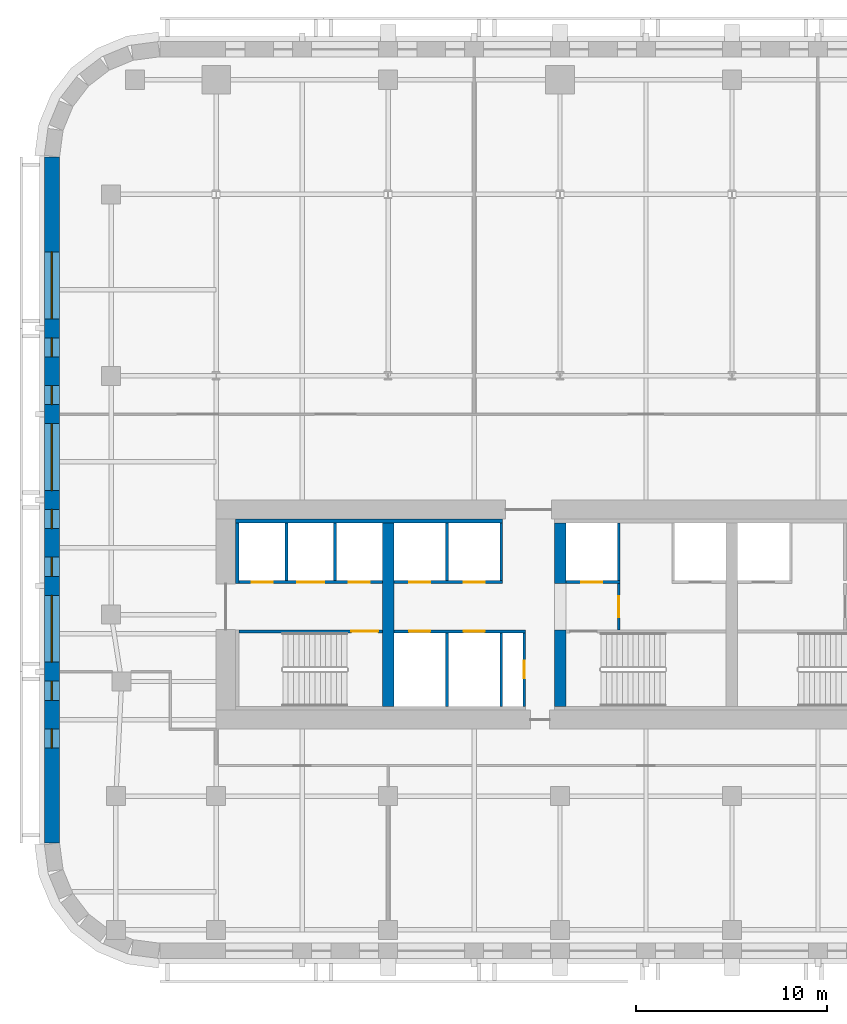
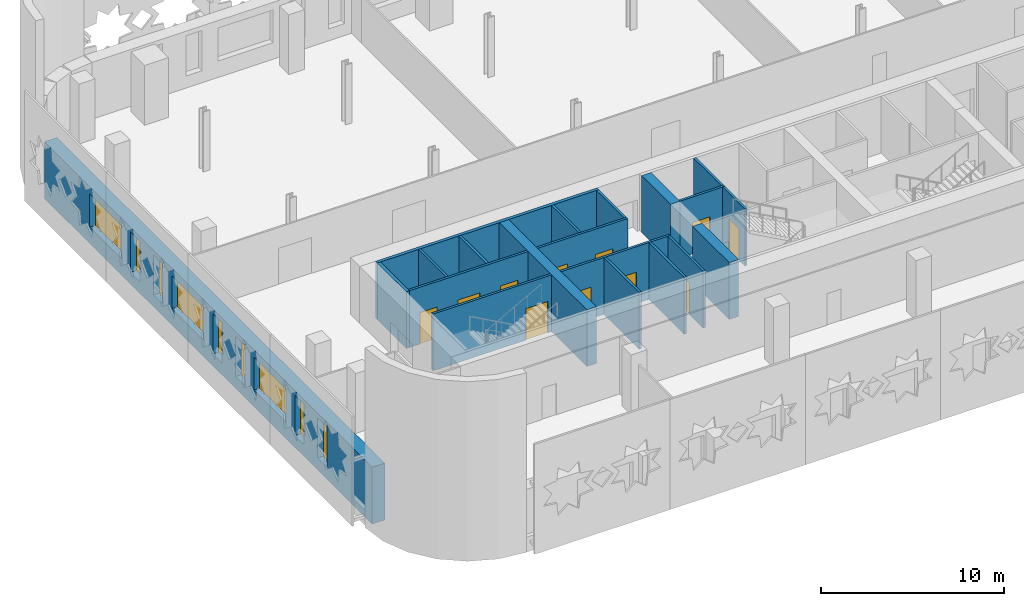
# One storey, part 3 of 11: 20 walls, 11 doors, 9 windows, 20 openings.
"""IFC4 building model written with IfcOpenShell, lengths in metres."""

import ifcopenshell
import ifcopenshell.guid

model = None  # the IFC model being written
_history = None  # IfcOwnerHistory: only IFC2X3 demands one
_inside = {}  # id of a spatial element -> (the spatial element, [elements in it])
_under = {}  # id of a project, library or spatial element -> (it, [spatial elements below it])
_declared = {}  # id of a project -> (the project, [libraries it declares])
_typed = {}  # id of a type object -> (the type object, [elements of that type])
_made_of = {}  # id of a material, layer set ... -> (it, [elements and type objects made of it])


def new_model(schema):
    """Start an empty IFC model of exactly this schema.

    Asked for "IFC4X3", IfcOpenShell would pick the latest addendum, in which some entities
    have other attributes; the version numbers below select the first issue.
    IFC2X3 requires an IfcOwnerHistory on every rooted entity: one is made here for all.
    """
    global model, _history
    if schema == "IFC4X3":
        model = ifcopenshell.file(schema_version=(4, 3, 0, 0))
    else:
        model = ifcopenshell.file(schema=schema)
    _inside.clear()
    _under.clear()
    _declared.clear()
    _typed.clear()
    _made_of.clear()
    _history = None
    if model.schema == "IFC2X3":
        org = make("IfcOrganization", Name="unknown")
        user = make(
            "IfcPersonAndOrganization",
            ThePerson=make("IfcPerson", FamilyName="unknown"),
            TheOrganization=org,
        )
        app = make(
            "IfcApplication",
            ApplicationDeveloper=org,
            Version="unknown",
            ApplicationFullName="unknown",
            ApplicationIdentifier="unknown",
        )
        _history = make(
            "IfcOwnerHistory",
            OwningUser=user,
            OwningApplication=app,
            ChangeAction="ADDED",
            CreationDate=0,
        )
    return model


def make(cls, **values):
    """One entity of the class cls with the attributes given. An attribute that is None is left unset."""
    return model.create_entity(
        cls, **{name: value for name, value in values.items() if value is not None}
    )


def rooted(cls, **values):
    """An entity with a GlobalId (a new one), such as an element, a storey or a relation."""
    return make(cls, GlobalId=ifcopenshell.guid.new(), OwnerHistory=_history, **values)


def si_unit(unit_type, name, prefix=None):
    """IfcSIUnit, for example si_unit("LENGTHUNIT", "METRE", prefix="MILLI")."""
    return make("IfcSIUnit", UnitType=unit_type, Prefix=prefix, Name=name)


def assignment(units):
    """IfcUnitAssignment: the units of a project."""
    return None if units is None else make("IfcUnitAssignment", Units=units)


def point(xyz):
    """IfcCartesianPoint."""
    return None if xyz is None else make("IfcCartesianPoint", Coordinates=xyz)


def direction(xyz):
    """IfcDirection."""
    return None if xyz is None else make("IfcDirection", DirectionRatios=xyz)


def frame(location, z_axis=None, x_axis=None):
    """IfcAxis2Placement3D, a coordinate frame: its origin and axes. An axis left out is left unset."""
    return make(
        "IfcAxis2Placement3D",
        Location=point(location),
        Axis=direction(z_axis),
        RefDirection=direction(x_axis),
    )


def frame_2d(location, x_axis=None):
    """IfcAxis2Placement2D, a coordinate frame in the plane: its origin and x axis."""
    return make(
        "IfcAxis2Placement2D", Location=point(location), RefDirection=direction(x_axis)
    )


def origin():
    """The frame at (0, 0, 0) with its axes left unset."""
    return frame((0.0, 0.0, 0.0))


def place(relative_to, where):
    """IfcLocalPlacement: puts the frame where relative to a parent placement (None: the world)."""
    return make(
        "IfcLocalPlacement", PlacementRelTo=relative_to, RelativePlacement=where
    )


def context(
    kind, dimensions, precision=None, world=None, true_north=None, identifier=None
):
    """IfcGeometricRepresentationContext, for example the 3D "Model" context."""
    return make(
        "IfcGeometricRepresentationContext",
        ContextIdentifier=identifier,
        ContextType=kind,
        CoordinateSpaceDimension=dimensions,
        Precision=precision,
        WorldCoordinateSystem=world,
        TrueNorth=true_north,
    )


def subcontext(parent, identifier, kind, view, scale=None):
    """IfcGeometricRepresentationSubContext, for example "Body" below "Model"."""
    return make(
        "IfcGeometricRepresentationSubContext",
        ContextIdentifier=identifier,
        ContextType=kind,
        ParentContext=parent,
        TargetScale=scale,
        TargetView=view,
    )


def project(units=None, contexts=None):
    """IfcProject with its units and contexts."""
    return rooted(
        "IfcProject",
        Name="project",
        RepresentationContexts=contexts,
        UnitsInContext=assignment(units),
    )


def spatial(cls, under=None, at=None, **own):
    """A site, building, storey or space (cls), placed at a placement, below another one or the project."""
    s = rooted(cls, ObjectPlacement=at, **own)
    if under is not None:
        _under.setdefault(under.id(), (under, []))[1].append(s)
    return s


def profile(cls, at=None, kind="AREA", **sizes):
    """A parametric profile (cls). Its sizes go by their IFC names, for example OverallWidth=200.0."""
    return make(cls, ProfileType=kind, Position=at, **sizes)


def rectangle(**sizes):
    """IfcRectangleProfileDef."""
    return profile("IfcRectangleProfileDef", **sizes)


def extrude(swept, where, along, depth):
    """IfcExtrudedAreaSolid: the profile swept, set in the frame where, extruded along a direction by depth."""
    return make(
        "IfcExtrudedAreaSolid",
        SweptArea=swept,
        Position=where,
        ExtrudedDirection=direction(along),
        Depth=depth,
    )


def shape(context_of_items, identifier, shape_type, items):
    """IfcShapeRepresentation: the items that make up one representation, for example the "Body"."""
    return make(
        "IfcShapeRepresentation",
        ContextOfItems=context_of_items,
        RepresentationIdentifier=identifier,
        RepresentationType=shape_type,
        Items=items,
    )


def material(Name=None, Category=None):
    """IfcMaterial."""
    return make("IfcMaterial", Name=Name, Category=Category)


def layer(
    of_material, thickness, ventilated=None, Name=None, Category=None, Priority=None
):
    """IfcMaterialLayer: one layer of a wall or slab, of a material (None: an air gap)."""
    return make(
        "IfcMaterialLayer",
        Material=of_material,
        LayerThickness=thickness,
        IsVentilated=ventilated,
        Name=Name,
        Category=Category,
        Priority=Priority,
    )


def layer_set(layers, Name=None):
    """IfcMaterialLayerSet."""
    return make("IfcMaterialLayerSet", MaterialLayers=layers, LayerSetName=Name)


def made_of(thing, what):
    """Note that an element or type object is made of a material, layer set ...; save() writes the relation."""
    if what is not None:
        _made_of.setdefault(what.id(), (what, []))[1].append(thing)
    return thing


def type_object(cls, material=None, **own):
    """A type object (cls), such as IfcWallType, which elements share."""
    return made_of(rooted(cls, **own), material)


def element(
    cls,
    number,
    at=None,
    inside=None,
    cuts=None,
    type_object=None,
    material=None,
    context=None,
    identifier="Body",
    shape_type=None,
    held_by="IfcProductDefinitionShape",
    body=None,
    shapes=None,
    **own,
):
    """One element of the class cls, such as IfcWall. Its Tag is "e" and its number.

    at: its placement. inside: the storey or other place that contains it. cuts: it is an
    opening in that element (IfcRelVoidsElement). A single representation is given by context,
    identifier, shape_type and body (its items); several are given by shapes. held_by: the class
    of the entity that holds the representations. save() writes the other relations.
    """
    e = rooted(cls, Tag="e%d" % number, ObjectPlacement=at, **own)
    if body is not None:
        shapes = [shape(context, identifier, shape_type, body)]
    if shapes is not None:
        e.Representation = make(held_by, Representations=shapes)
    if inside is not None:
        _inside.setdefault(inside.id(), (inside, []))[1].append(e)
    if cuts is not None:
        rooted(
            "IfcRelVoidsElement", RelatingBuildingElement=cuts, RelatedOpeningElement=e
        )
    if type_object is not None:
        _typed.setdefault(type_object.id(), (type_object, []))[1].append(e)
    return made_of(e, material)


def fill(opening, filler):
    """IfcRelFillsElement: the door or window that sits in an opening."""
    return rooted(
        "IfcRelFillsElement",
        RelatingOpeningElement=opening,
        RelatedBuildingElement=filler,
    )


def aggregate(whole, parts):
    """IfcRelAggregates: a whole, such as a stair, and the parts it consists of."""
    return rooted("IfcRelAggregates", RelatingObject=whole, RelatedObjects=parts)


def save(model, path):
    """Write the relations noted so far, then the file.

    IfcRelAggregates (storeys below a building ...), IfcRelContainedInSpatialStructure (elements
    in a storey), IfcRelDefinesByType, IfcRelAssociatesMaterial and IfcRelDeclares: one each for
    every whole, place, type object, material and project.
    """
    for whole, parts in _under.values():
        aggregate(whole, parts)
    for where, things in _inside.values():
        rooted(
            "IfcRelContainedInSpatialStructure",
            RelatedElements=things,
            RelatingStructure=where,
        )
    for kind, things in _typed.values():
        rooted("IfcRelDefinesByType", RelatedObjects=things, RelatingType=kind)
    for what, things in _made_of.values():
        rooted("IfcRelAssociatesMaterial", RelatedObjects=things, RelatingMaterial=what)
    for by, libraries in _declared.values():
        rooted("IfcRelDeclares", RelatingContext=by, RelatedDefinitions=libraries)
    model.write(path)


model = new_model("IFC4")

# Units and contexts
model_context = context("Model", 3, precision=1e-05, world=origin(), true_north=direction((0.0, 1.0)))
body_context = subcontext(model_context, "Body", "Model", "MODEL_VIEW")
ifc_project = project(units=[si_unit("LENGTHUNIT", "METRE"), si_unit("AREAUNIT", "SQUARE_METRE"), si_unit("VOLUMEUNIT", "CUBIC_METRE"), si_unit("PLANEANGLEUNIT", "RADIAN"), si_unit("MASSUNIT", "GRAM", prefix="KILO")], contexts=[model_context])

# Site, building, storey
site_placement = place(None, origin())
site = spatial("IfcSite", under=ifc_project, at=site_placement, CompositionType="ELEMENT")
building_placement = place(site_placement, origin())
building = spatial("IfcBuilding", under=site, at=building_placement, Name="Zellij Exchange Tower", CompositionType="ELEMENT")
storey_placement = place(building_placement, frame((0.0, 0.0, 144.5)))
storey = spatial("IfcBuildingStorey", under=building, at=storey_placement, Name="L32", CompositionType="ELEMENT", Elevation=144.5)

# Walls
ifc_material_1 = material(Name="Concrete C70/85", Category="concrete")
ifc_layer_1 = layer(ifc_material_1, 0.60009765625)
ifc_layer_set_1 = layer_set([ifc_layer_1], Name="Concrete C70/85")
wall_type_1 = type_object("IfcWallType", Name="CORE-CW 600 C70/85", PredefinedType="SHEAR", material=ifc_layer_set_1)
wall_1_placement = place(storey_placement, frame((-18.0, -12.800048828125, 0.0), z_axis=(0.0, 0.0, 1.0), x_axis=(0.0, 1.0, 0.0)))
element("IfcWall", 1, at=wall_1_placement, inside=storey, type_object=wall_type_1, Name="Core cross wall x -18 L32", PredefinedType="SHEAR", context=body_context, shape_type="SweptSolid", body=[
    extrude(rectangle(XDim=9.60009765625, YDim=0.60009765625, at=frame_2d((4.800048828125, 0.0))), origin(), (0.0, 0.0, 1.0), 3.800048828125),
])
wall_2_placement = place(storey_placement, frame((-9.0, -12.800048828125, 0.0), z_axis=(0.0, 0.0, 1.0), x_axis=(0.0, 1.0, 0.0)))
element("IfcWall", 2, at=wall_2_placement, inside=storey, type_object=wall_type_1, Name="Core cross wall pier x -9 a L32", PredefinedType="SHEAR", context=body_context, shape_type="SweptSolid", body=[
    extrude(rectangle(XDim=4.0, YDim=0.60009765625, at=frame_2d((2.0, 0.0))), origin(), (0.0, 0.0, 1.0), 3.800048828125),
])
wall_3_placement = place(storey_placement, frame((-9.0, -6.375, 0.0), z_axis=(0.0, 0.0, 1.0), x_axis=(0.0, 1.0, 0.0)))
element("IfcWall", 3, at=wall_3_placement, inside=storey, type_object=wall_type_1, Name="Core cross wall pier x -9 b L32", PredefinedType="SHEAR", context=body_context, shape_type="SweptSolid", body=[
    extrude(rectangle(XDim=3.175048828125, YDim=0.60009765625, at=frame_2d((1.58740234375, 0.0))), origin(), (0.0, 0.0, 1.0), 3.800048828125),
])
ifc_material_2 = material(Name="Concrete C30/37", Category="concrete")
ifc_layer_2 = layer(ifc_material_2, 0.199951171875)
ifc_layer_set_2 = layer_set([ifc_layer_2], Name="Concrete C30/37")
wall_type_2 = type_object("IfcWallType", Name="CORE-LW 200 C30/37", PredefinedType="SHEAR", material=ifc_layer_set_2)
wall_4_placement = place(storey_placement, frame((-26.0, -3.10009765625, 0.0), z_axis=(0.0, 0.0, 1.0), x_axis=(1.0, 0.0, 0.0)))
element("IfcWall", 4, at=wall_4_placement, inside=storey, type_object=wall_type_2, Name="Core wall lining front.0 L32", PredefinedType="SHEAR", context=body_context, shape_type="SweptSolid", body=[
    extrude(rectangle(XDim=14.0, YDim=0.199951171875, at=frame_2d((7.0, 0.0))), origin(), (0.0, 0.0, 1.0), 3.800048828125),
])
wall_5_placement = place(storey_placement, frame((-25.89990234375, -6.375, 0.0), z_axis=(0.0, 0.0, 1.0), x_axis=(0.0, 1.0, 0.0)))
element("IfcWall", 5, at=wall_5_placement, inside=storey, type_object=wall_type_2, Name="Core wall lining end w.1 L32", PredefinedType="SHEAR", context=body_context, shape_type="SweptSolid", body=[
    extrude(rectangle(XDim=3.175048828125, YDim=0.199951171875, at=frame_2d((1.58740234375, 0.0))), origin(), (0.0, 0.0, 1.0), 3.800048828125),
])

# Wall, opening, door
ifc_material_3 = material(Name="Gypsum shaft wall system")
ifc_layer_3 = layer(ifc_material_3, 0.14990234375)
ifc_layer_set_3 = layer_set([ifc_layer_3], Name="Gypsum shaft wall system")
wall_type_3 = type_object("IfcWallType", Name="CORE-PW 150 Firefighting lobby wall", PredefinedType="PARTITIONING", material=ifc_layer_set_3)
wall_6_placement = place(storey_placement, frame((-5.925048828125, -8.800048828125, 0.0), z_axis=(0.0, 0.0, 1.0), x_axis=(0.0, 1.0, 0.0)))
wall_6 = element("IfcWall", 6, at=wall_6_placement, inside=storey, type_object=wall_type_3, Name="Firefighting lobby wall L32", PredefinedType="PARTITIONING", context=body_context, shape_type="SweptSolid", body=[
    extrude(rectangle(XDim=2.425048828125, YDim=0.14990234375, at=frame_2d((1.21240234375, 0.0))), origin(), (0.0, 0.0, 1.0), 3.800048828125),
])
opening_1_placement = place(wall_6_placement, frame((0.662109375, 0.0, 0.0)))
opening_1 = element("IfcOpeningElement", 7, at=opening_1_placement, cuts=wall_6, Name="Opening CA-16.15", PredefinedType="OPENING", context=body_context, shape_type="SweptSolid", body=[
    extrude(rectangle(XDim=1.10009765625, YDim=2.10009765625, at=frame_2d((0.550048828125, 1.050048828125))), frame((0.0, 0.0869140625, 0.0), z_axis=(0.0, -1.0, 0.0), x_axis=(1.0, 0.0, 0.0)), (0.0, 0.0, 1.0), 0.173828125),
])
ifc_material_4 = material(Name="Hollow metal fire door")
door_type_1 = type_object("IfcDoorType", Name="CORE-D F Firefighting lobby door 1100x2100 1 HR", OperationType="NOTDEFINED", PredefinedType="DOOR", material=ifc_material_4)
door_1_placement = place(opening_1_placement, origin())
door_1 = element("IfcDoor", 8, at=door_1_placement, inside=storey, type_object=door_type_1, Name="Firefighting lobby door CA-16.15", OperationType="SINGLE_SWING_LEFT", OverallHeight=2.10009765625, OverallWidth=1.10009765625, PredefinedType="DOOR", context=body_context, shape_type="SweptSolid", body=[
    extrude(rectangle(XDim=1.10009765625, YDim=2.10009765625, at=frame_2d((0.550048828125, 1.050048828125))), frame((0.0, 0.02490234375, 0.0), z_axis=(0.0, -1.0, 0.0), x_axis=(1.0, 0.0, 0.0)), (0.0, 0.0, 1.0), 0.050048828125),
])
fill(opening_1, door_1)

ifc_material_5 = material(Name="Gypsum board partition")
ifc_layer_4 = layer(ifc_material_5, 0.14990234375)
ifc_layer_set_4 = layer_set([ifc_layer_4], Name="Gypsum board partition")
wall_type_4 = type_object("IfcWallType", Name="CORE-PW 150 Lift lobby wall", PredefinedType="PARTITIONING", material=ifc_layer_set_4)
wall_7_placement = place(storey_placement, frame((-10.875, -12.800048828125, 0.0), z_axis=(0.0, 0.0, 1.0), x_axis=(0.0, 1.0, 0.0)))
wall_7 = element("IfcWall", 9, at=wall_7_placement, inside=storey, type_object=wall_type_4, Name="Lift lobby wall L32", PredefinedType="PARTITIONING", context=body_context, shape_type="SweptSolid", body=[
    extrude(rectangle(XDim=3.85009765625, YDim=0.14990234375, at=frame_2d((1.925048828125, 0.0))), origin(), (0.0, 0.0, 1.0), 3.800048828125),
])
opening_2_placement = place(wall_7_placement, frame((1.47509765625, 0.0, 0.0)))
opening_2 = element("IfcOpeningElement", 10, at=opening_2_placement, cuts=wall_7, Name="Opening CA-16.10", PredefinedType="OPENING", context=body_context, shape_type="SweptSolid", body=[
    extrude(rectangle(XDim=0.89990234375, YDim=2.10009765625, at=frame_2d((0.449951171875, 1.050048828125))), frame((0.0, 0.0869140625, 0.0), z_axis=(0.0, -1.0, 0.0), x_axis=(1.0, 0.0, 0.0)), (0.0, 0.0, 1.0), 0.173828125),
])
door_type_2 = type_object("IfcDoorType", Name="CORE-D RD Riser door 900x2100 1.5 HR", OperationType="NOTDEFINED", PredefinedType="DOOR", material=ifc_material_4)
door_2_placement = place(opening_2_placement, origin())
door_2 = element("IfcDoor", 11, at=door_2_placement, inside=storey, type_object=door_type_2, Name="Riser door CA-16.10", OperationType="SINGLE_SWING_RIGHT", OverallHeight=2.10009765625, OverallWidth=0.89990234375, PredefinedType="DOOR", context=body_context, shape_type="SweptSolid", body=[
    extrude(rectangle(XDim=0.89990234375, YDim=2.10009765625, at=frame_2d((0.449951171875, 1.050048828125))), frame((0.0, 0.02490234375, 0.0), z_axis=(0.0, -1.0, 0.0), x_axis=(1.0, 0.0, 0.0)), (0.0, 0.0, 1.0), 0.050048828125),
])
fill(opening_2, door_2)

# Walls
ifc_layer_5 = layer(ifc_material_3, 0.14990234375)
ifc_layer_set_5 = layer_set([ifc_layer_5], Name="Gypsum shaft wall system")
wall_type_5 = type_object("IfcWallType", Name="CORE-PW 150 Lift shaft wall", PredefinedType="PARTITIONING", material=ifc_layer_set_5)
for number, where, z_axis, x_axis, name in (
    (12, (-20.77490234375, -6.22509765625, 0.0), (0.0, 0.0, 1.0), (0.0, 1.0, 0.0), "Lift shaft wall L32"),
    (13, (-23.324951171875, -6.22509765625, 0.0), (0.0, 0.0, 1.0), (0.0, 1.0, 0.0), "Lift shaft wall L32"),
    (14, (-12.074951171875, -6.22509765625, 0.0), (0.0, 0.0, 1.0), (0.0, 1.0, 0.0), "Lift shaft wall L32"),
    (15, (-14.925048828125, -6.22509765625, 0.0), (0.0, 0.0, 1.0), (0.0, 1.0, 0.0), "Lift shaft wall L32"),
    (16, (-5.925048828125, -6.22509765625, 0.0), (0.0, 0.0, 1.0), (0.0, 1.0, 0.0), "Lift shaft wall L32"),
):
    element("IfcWall", number, at=place(storey_placement, frame(where, z_axis=z_axis, x_axis=x_axis)), inside=storey, type_object=wall_type_5, Name=name, PredefinedType="PARTITIONING", context=body_context, shape_type="SweptSolid", body=[
        extrude(rectangle(XDim=3.025146484375, YDim=0.14990234375, at=frame_2d((1.5126953125, 0.0))), origin(), (0.0, 0.0, 1.0), 3.800048828125),
    ])
for number, where, z_axis, x_axis, name in (
    (17, (-12.074951171875, -12.800048828125, 0.0), (0.0, 0.0, 1.0), (0.0, 1.0, 0.0), "Lift shaft wall L32"),
    (18, (-14.925048828125, -12.800048828125, 0.0), (0.0, 0.0, 1.0), (0.0, 1.0, 0.0), "Lift shaft wall L32"),
):
    element("IfcWall", number, at=place(storey_placement, frame(where, z_axis=z_axis, x_axis=x_axis)), inside=storey, type_object=wall_type_5, Name=name, PredefinedType="PARTITIONING", context=body_context, shape_type="SweptSolid", body=[
        extrude(rectangle(XDim=3.85009765625, YDim=0.14990234375, at=frame_2d((1.925048828125, 0.0))), origin(), (0.0, 0.0, 1.0), 3.800048828125),
    ])

# Wall, openings, doors
wall_8_placement = place(storey_placement, frame((-25.800048828125, -6.300048828125, 0.0), z_axis=(0.0, 0.0, 1.0), x_axis=(1.0, 0.0, 0.0)))
wall_8 = element("IfcWall", 19, at=wall_8_placement, inside=storey, type_object=wall_type_5, Name="Lift shaft wall L32", PredefinedType="PARTITIONING", context=body_context, shape_type="SweptSolid", body=[
    extrude(rectangle(XDim=7.5, YDim=0.14990234375, at=frame_2d((3.75, 0.0))), origin(), (0.0, 0.0, 1.0), 3.800048828125),
])
opening_3_placement = place(wall_8_placement, frame((0.64990234375, 0.0, 0.0)))
opening_3 = element("IfcOpeningElement", 20, at=opening_3_placement, cuts=wall_8, Name="Opening CA-16.02", PredefinedType="OPENING", context=body_context, shape_type="SweptSolid", body=[
    extrude(rectangle(XDim=1.10009765625, YDim=2.10009765625, at=frame_2d((0.550048828125, 1.050048828125))), frame((0.0, 0.0869140625, 0.0), z_axis=(0.0, -1.0, 0.0), x_axis=(1.0, 0.0, 0.0)), (0.0, 0.0, 1.0), 0.173828125),
])
opening_4_placement = place(wall_8_placement, frame((3.050048828125, 0.0, 0.0)))
opening_4 = element("IfcOpeningElement", 21, at=opening_4_placement, cuts=wall_8, Name="Opening CA-16.03", PredefinedType="OPENING", context=body_context, shape_type="SweptSolid", body=[
    extrude(rectangle(XDim=1.39990234375, YDim=2.10009765625, at=frame_2d((0.699951171875, 1.050048828125))), frame((0.0, 0.0869140625, 0.0), z_axis=(0.0, -1.0, 0.0), x_axis=(1.0, 0.0, 0.0)), (0.0, 0.0, 1.0), 0.173828125),
])
opening_5_placement = place(wall_8_placement, frame((5.75, 0.0, 0.0)))
opening_5 = element("IfcOpeningElement", 22, at=opening_5_placement, cuts=wall_8, Name="Opening CA-16.04", PredefinedType="OPENING", context=body_context, shape_type="SweptSolid", body=[
    extrude(rectangle(XDim=1.10009765625, YDim=2.10009765625, at=frame_2d((0.550048828125, 1.050048828125))), frame((0.0, 0.0869140625, 0.0), z_axis=(0.0, -1.0, 0.0), x_axis=(1.0, 0.0, 0.0)), (0.0, 0.0, 1.0), 0.173828125),
])
door_type_3 = type_object("IfcDoorType", Name="CORE-D LD Lift landing door 1100x2100 1.5 HR", OperationType="NOTDEFINED", PredefinedType="DOOR", material=ifc_material_4)
door_3_placement = place(opening_3_placement, origin())
door_3 = element("IfcDoor", 23, at=door_3_placement, inside=storey, type_object=door_type_3, Name="Lift landing door CA-16.02", OperationType="SLIDING_TO_RIGHT", OverallHeight=2.10009765625, OverallWidth=1.10009765625, PredefinedType="DOOR", context=body_context, shape_type="SweptSolid", body=[
    extrude(rectangle(XDim=1.10009765625, YDim=2.10009765625, at=frame_2d((0.550048828125, 1.050048828125))), frame((0.0, 0.02490234375, 0.0), z_axis=(0.0, -1.0, 0.0), x_axis=(1.0, 0.0, 0.0)), (0.0, 0.0, 1.0), 0.050048828125),
])
fill(opening_3, door_3)
door_4_placement = place(opening_5_placement, origin())
door_4 = element("IfcDoor", 24, at=door_4_placement, inside=storey, type_object=door_type_3, Name="Lift landing door CA-16.04", OperationType="SLIDING_TO_RIGHT", OverallHeight=2.10009765625, OverallWidth=1.10009765625, PredefinedType="DOOR", context=body_context, shape_type="SweptSolid", body=[
    extrude(rectangle(XDim=1.10009765625, YDim=2.10009765625, at=frame_2d((0.550048828125, 1.050048828125))), frame((0.0, 0.02490234375, 0.0), z_axis=(0.0, -1.0, 0.0), x_axis=(1.0, 0.0, 0.0)), (0.0, 0.0, 1.0), 0.050048828125),
])
fill(opening_5, door_4)
door_type_4 = type_object("IfcDoorType", Name="CORE-D LD2 Service lift landing door 1400x2100 1.5 HR", OperationType="NOTDEFINED", PredefinedType="DOOR", material=ifc_material_4)
door_5_placement = place(opening_4_placement, origin())
door_5 = element("IfcDoor", 25, at=door_5_placement, inside=storey, type_object=door_type_4, Name="Service lift landing door CA-16.03", OperationType="SLIDING_TO_LEFT", OverallHeight=2.10009765625, OverallWidth=1.39990234375, PredefinedType="DOOR", context=body_context, shape_type="SweptSolid", body=[
    extrude(rectangle(XDim=1.39990234375, YDim=2.10009765625, at=frame_2d((0.699951171875, 1.050048828125))), frame((0.0, 0.02490234375, 0.0), z_axis=(0.0, -1.0, 0.0), x_axis=(1.0, 0.0, 0.0)), (0.0, 0.0, 1.0), 0.050048828125),
])
fill(opening_4, door_5)

wall_9_placement = place(storey_placement, frame((-17.699951171875, -6.300048828125, 0.0), z_axis=(0.0, 0.0, 1.0), x_axis=(1.0, 0.0, 0.0)))
wall_9 = element("IfcWall", 26, at=wall_9_placement, inside=storey, type_object=wall_type_5, Name="Lift shaft wall L32", PredefinedType="PARTITIONING", context=body_context, shape_type="SweptSolid", body=[
    extrude(rectangle(XDim=5.699951171875, YDim=0.14990234375, at=frame_2d((2.85009765625, 0.0))), origin(), (0.0, 0.0, 1.0), 3.800048828125),
])
opening_6_placement = place(wall_9_placement, frame((0.800048828125, 0.0, 0.0)))
opening_6 = element("IfcOpeningElement", 27, at=opening_6_placement, cuts=wall_9, Name="Opening CA-16.07", PredefinedType="OPENING", context=body_context, shape_type="SweptSolid", body=[
    extrude(rectangle(XDim=1.10009765625, YDim=2.10009765625, at=frame_2d((0.550048828125, 1.050048828125))), frame((0.0, 0.0869140625, 0.0), z_axis=(0.0, -1.0, 0.0), x_axis=(1.0, 0.0, 0.0)), (0.0, 0.0, 1.0), 0.173828125),
])
opening_7_placement = place(wall_9_placement, frame((3.64990234375, 0.0, 0.0)))
opening_7 = element("IfcOpeningElement", 28, at=opening_7_placement, cuts=wall_9, Name="Opening CA-16.09", PredefinedType="OPENING", context=body_context, shape_type="SweptSolid", body=[
    extrude(rectangle(XDim=1.10009765625, YDim=2.10009765625, at=frame_2d((0.550048828125, 1.050048828125))), frame((0.0, 0.0869140625, 0.0), z_axis=(0.0, -1.0, 0.0), x_axis=(1.0, 0.0, 0.0)), (0.0, 0.0, 1.0), 0.173828125),
])
door_6_placement = place(opening_6_placement, origin())
door_6 = element("IfcDoor", 29, at=door_6_placement, inside=storey, type_object=door_type_3, Name="Lift landing door CA-16.07", OperationType="SLIDING_TO_LEFT", OverallHeight=2.10009765625, OverallWidth=1.10009765625, PredefinedType="DOOR", context=body_context, shape_type="SweptSolid", body=[
    extrude(rectangle(XDim=1.10009765625, YDim=2.10009765625, at=frame_2d((0.550048828125, 1.050048828125))), frame((0.0, 0.02490234375, 0.0), z_axis=(0.0, -1.0, 0.0), x_axis=(1.0, 0.0, 0.0)), (0.0, 0.0, 1.0), 0.050048828125),
])
fill(opening_6, door_6)
door_7_placement = place(opening_7_placement, origin())
door_7 = element("IfcDoor", 30, at=door_7_placement, inside=storey, type_object=door_type_3, Name="Lift landing door CA-16.09", OperationType="SLIDING_TO_LEFT", OverallHeight=2.10009765625, OverallWidth=1.10009765625, PredefinedType="DOOR", context=body_context, shape_type="SweptSolid", body=[
    extrude(rectangle(XDim=1.10009765625, YDim=2.10009765625, at=frame_2d((0.550048828125, 1.050048828125))), frame((0.0, 0.02490234375, 0.0), z_axis=(0.0, -1.0, 0.0), x_axis=(1.0, 0.0, 0.0)), (0.0, 0.0, 1.0), 0.050048828125),
])
fill(opening_7, door_7)

# Wall, opening, door
wall_10_placement = place(storey_placement, frame((-8.699951171875, -6.300048828125, 0.0), z_axis=(0.0, 0.0, 1.0), x_axis=(1.0, 0.0, 0.0)))
wall_10 = element("IfcWall", 31, at=wall_10_placement, inside=storey, type_object=wall_type_5, Name="Lift shaft wall L32", PredefinedType="PARTITIONING", context=body_context, shape_type="SweptSolid", body=[
    extrude(rectangle(XDim=2.849853515625, YDim=0.14990234375, at=frame_2d((1.4248046875, 0.0))), origin(), (0.0, 0.0, 1.0), 3.800048828125),
])
opening_8_placement = place(wall_10_placement, frame((0.800048828125, 0.0, 0.0)))
opening_8 = element("IfcOpeningElement", 32, at=opening_8_placement, cuts=wall_10, Name="Opening CA-16.14", PredefinedType="OPENING", context=body_context, shape_type="SweptSolid", body=[
    extrude(rectangle(XDim=1.10009765625, YDim=2.10009765625, at=frame_2d((0.550048828125, 1.050048828125))), frame((0.0, 0.0869140625, 0.0), z_axis=(0.0, -1.0, 0.0), x_axis=(1.0, 0.0, 0.0)), (0.0, 0.0, 1.0), 0.173828125),
])
door_8_placement = place(opening_8_placement, origin())
door_8 = element("IfcDoor", 33, at=door_8_placement, inside=storey, type_object=door_type_3, Name="Lift landing door CA-16.14", OperationType="SLIDING_TO_RIGHT", OverallHeight=2.10009765625, OverallWidth=1.10009765625, PredefinedType="DOOR", context=body_context, shape_type="SweptSolid", body=[
    extrude(rectangle(XDim=1.10009765625, YDim=2.10009765625, at=frame_2d((0.550048828125, 1.050048828125))), frame((0.0, 0.02490234375, 0.0), z_axis=(0.0, -1.0, 0.0), x_axis=(1.0, 0.0, 0.0)), (0.0, 0.0, 1.0), 0.050048828125),
])
fill(opening_8, door_8)

# Wall, openings, doors
wall_11_placement = place(storey_placement, frame((-17.699951171875, -8.875, 0.0), z_axis=(0.0, 0.0, 1.0), x_axis=(1.0, 0.0, 0.0)))
wall_11 = element("IfcWall", 34, at=wall_11_placement, inside=storey, type_object=wall_type_5, Name="Lift shaft wall L32", PredefinedType="PARTITIONING", context=body_context, shape_type="SweptSolid", body=[
    extrude(rectangle(XDim=6.89990234375, YDim=0.14990234375, at=frame_2d((3.449951171875, 0.0))), origin(), (0.0, 0.0, 1.0), 3.800048828125),
])
opening_9_placement = place(wall_11_placement, frame((0.800048828125, 0.0, 0.0)))
opening_9 = element("IfcOpeningElement", 35, at=opening_9_placement, cuts=wall_11, Name="Opening CA-16.06", PredefinedType="OPENING", context=body_context, shape_type="SweptSolid", body=[
    extrude(rectangle(XDim=1.10009765625, YDim=2.10009765625, at=frame_2d((0.550048828125, 1.050048828125))), frame((0.0, 0.0869140625, 0.0), z_axis=(0.0, -1.0, 0.0), x_axis=(1.0, 0.0, 0.0)), (0.0, 0.0, 1.0), 0.173828125),
])
opening_10_placement = place(wall_11_placement, frame((3.64990234375, 0.0, 0.0)))
opening_10 = element("IfcOpeningElement", 36, at=opening_10_placement, cuts=wall_11, Name="Opening CA-16.08", PredefinedType="OPENING", context=body_context, shape_type="SweptSolid", body=[
    extrude(rectangle(XDim=1.10009765625, YDim=2.10009765625, at=frame_2d((0.550048828125, 1.050048828125))), frame((0.0, 0.0869140625, 0.0), z_axis=(0.0, -1.0, 0.0), x_axis=(1.0, 0.0, 0.0)), (0.0, 0.0, 1.0), 0.173828125),
])
door_9_placement = place(opening_9_placement, origin())
door_9 = element("IfcDoor", 37, at=door_9_placement, inside=storey, type_object=door_type_3, Name="Lift landing door CA-16.06", OperationType="SLIDING_TO_RIGHT", OverallHeight=2.10009765625, OverallWidth=1.10009765625, PredefinedType="DOOR", context=body_context, shape_type="SweptSolid", body=[
    extrude(rectangle(XDim=1.10009765625, YDim=2.10009765625, at=frame_2d((0.550048828125, 1.050048828125))), frame((0.0, 0.02490234375, 0.0), z_axis=(0.0, -1.0, 0.0), x_axis=(1.0, 0.0, 0.0)), (0.0, 0.0, 1.0), 0.050048828125),
])
fill(opening_9, door_9)
door_10_placement = place(opening_10_placement, origin())
door_10 = element("IfcDoor", 38, at=door_10_placement, inside=storey, type_object=door_type_3, Name="Lift landing door CA-16.08", OperationType="SLIDING_TO_RIGHT", OverallHeight=2.10009765625, OverallWidth=1.10009765625, PredefinedType="DOOR", context=body_context, shape_type="SweptSolid", body=[
    extrude(rectangle(XDim=1.10009765625, YDim=2.10009765625, at=frame_2d((0.550048828125, 1.050048828125))), frame((0.0, 0.02490234375, 0.0), z_axis=(0.0, -1.0, 0.0), x_axis=(1.0, 0.0, 0.0)), (0.0, 0.0, 1.0), 0.050048828125),
])
fill(opening_10, door_10)

# Wall, opening, door
ifc_layer_6 = layer(ifc_material_1, 0.14990234375)
ifc_layer_set_6 = layer_set([ifc_layer_6], Name="Concrete C70/85")
wall_type_6 = type_object("IfcWallType", Name="CORE-SWS 150 C70/85", PredefinedType="SHEAR", material=ifc_layer_set_6)
wall_12_placement = place(storey_placement, frame((-25.800048828125, -8.875, 0.0), z_axis=(0.0, 0.0, 1.0), x_axis=(1.0, 0.0, 0.0)))
wall_12 = element("IfcWall", 39, at=wall_12_placement, inside=storey, type_object=wall_type_6, Name="Stair enclosure wall L32", PredefinedType="SHEAR", context=body_context, shape_type="SweptSolid", body=[
    extrude(rectangle(XDim=7.5, YDim=0.14990234375, at=frame_2d((3.75, 0.0))), origin(), (0.0, 0.0, 1.0), 3.800048828125),
])
opening_11_placement = place(wall_12_placement, frame((5.875, 0.0, 0.0)))
opening_11 = element("IfcOpeningElement", 40, at=opening_11_placement, cuts=wall_12, Name="Opening CA-16.05", PredefinedType="OPENING", context=body_context, shape_type="SweptSolid", body=[
    extrude(rectangle(XDim=1.39990234375, YDim=2.10009765625, at=frame_2d((0.699951171875, 1.050048828125))), frame((0.0, 0.0869140625, 0.0), z_axis=(0.0, -1.0, 0.0), x_axis=(1.0, 0.0, 0.0)), (0.0, 0.0, 1.0), 0.173828125),
])
door_type_5 = type_object("IfcDoorType", Name="CORE-D SD Stair door 1400x2100 1.5 HR", OperationType="NOTDEFINED", PredefinedType="DOOR", material=ifc_material_4)
door_11_placement = place(opening_11_placement, origin())
door_11 = element("IfcDoor", 41, at=door_11_placement, inside=storey, type_object=door_type_5, Name="Stair door CA-16.05", OperationType="DOUBLE_DOOR_SINGLE_SWING", OverallHeight=2.10009765625, OverallWidth=1.39990234375, PredefinedType="DOOR", context=body_context, shape_type="SweptSolid", body=[
    extrude(rectangle(XDim=1.39990234375, YDim=2.10009765625, at=frame_2d((0.699951171875, 1.050048828125))), frame((0.0, 0.02490234375, 0.0), z_axis=(0.0, -1.0, 0.0), x_axis=(1.0, 0.0, 0.0)), (0.0, 0.0, 1.0), 0.050048828125),
])
fill(opening_11, door_11)

# Wall, openings, windows
ifc_material_6 = material(Name="Precast concrete C40/50", Category="concrete")
ifc_layer_7 = layer(ifc_material_6, 0.800048828125)
ifc_layer_set_7 = layer_set([ifc_layer_7], Name="Precast concrete C40/50")
wall_type_7 = type_object("IfcWallType", Name="ENV-EW1 Precast stone-piered wall 800", PredefinedType="SOLIDWALL", material=ifc_layer_set_7)
wall_13_placement = place(storey_placement, frame((-35.60009765625, 15.947509765625, 0.0), z_axis=(0.0, 0.0, 1.0), x_axis=(0.0, -1.0, 0.0)))
wall_13 = element("IfcWall", 42, at=wall_13_placement, inside=storey, type_object=wall_type_7, Name="fac.L32.21", PredefinedType="SOLIDWALL", context=body_context, shape_type="SweptSolid", body=[
    extrude(rectangle(XDim=35.89501953125, YDim=0.800048828125, at=frame_2d((17.947509765625, 0.0))), origin(), (0.0, 0.0, 1.0), 3.800048828125),
])
opening_12_placement = place(wall_13_placement, frame((4.9638671875, 0.0, 1.10009765625)))
opening_12 = element("IfcOpeningElement", 43, at=opening_12_placement, cuts=wall_13, Name="Opening FZ2.44", PredefinedType="OPENING", context=body_context, shape_type="SweptSolid", body=[
    extrude(rectangle(XDim=3.5, YDim=2.199951171875, at=frame_2d((1.75, 1.10009765625))), frame((0.0, 0.412109375, 0.0), z_axis=(0.0, -1.0, 0.0), x_axis=(1.0, 0.0, 0.0)), (0.0, 0.0, 1.0), 0.823974609375),
])
opening_13_placement = place(wall_13_placement, frame((9.45751953125, 0.0, 0.800048828125)))
opening_13 = element("IfcOpeningElement", 44, at=opening_13_placement, cuts=wall_13, Name="Opening FZ2.45", PredefinedType="OPENING", context=body_context, shape_type="SweptSolid", body=[
    extrude(rectangle(XDim=1.0, YDim=2.699951171875, at=frame_2d((0.5, 1.35009765625))), frame((0.0, 0.412109375, 0.0), z_axis=(0.0, -1.0, 0.0), x_axis=(1.0, 0.0, 0.0)), (0.0, 0.0, 1.0), 0.823974609375),
])
opening_14_placement = place(wall_13_placement, frame((11.95751953125, 0.0, 0.800048828125)))
opening_14 = element("IfcOpeningElement", 45, at=opening_14_placement, cuts=wall_13, Name="Opening FZ2.46", PredefinedType="OPENING", context=body_context, shape_type="SweptSolid", body=[
    extrude(rectangle(XDim=1.0, YDim=2.699951171875, at=frame_2d((0.5, 1.35009765625))), frame((0.0, 0.412109375, 0.0), z_axis=(0.0, -1.0, 0.0), x_axis=(1.0, 0.0, 0.0)), (0.0, 0.0, 1.0), 0.823974609375),
])
opening_15_placement = place(wall_13_placement, frame((13.950927734375, 0.0, 1.10009765625)))
opening_15 = element("IfcOpeningElement", 46, at=opening_15_placement, cuts=wall_13, Name="Opening FZ2.47", PredefinedType="OPENING", context=body_context, shape_type="SweptSolid", body=[
    extrude(rectangle(XDim=3.5, YDim=2.199951171875, at=frame_2d((1.75, 1.10009765625))), frame((0.0, 0.412109375, 0.0), z_axis=(0.0, -1.0, 0.0), x_axis=(1.0, 0.0, 0.0)), (0.0, 0.0, 1.0), 0.823974609375),
])
opening_16_placement = place(wall_13_placement, frame((18.4443359375, 0.0, 0.800048828125)))
opening_16 = element("IfcOpeningElement", 47, at=opening_16_placement, cuts=wall_13, Name="Opening FZ2.48", PredefinedType="OPENING", context=body_context, shape_type="SweptSolid", body=[
    extrude(rectangle(XDim=1.0, YDim=2.699951171875, at=frame_2d((0.5, 1.35009765625))), frame((0.0, 0.412109375, 0.0), z_axis=(0.0, -1.0, 0.0), x_axis=(1.0, 0.0, 0.0)), (0.0, 0.0, 1.0), 0.823974609375),
])
opening_17_placement = place(wall_13_placement, frame((20.9443359375, 0.0, 0.800048828125)))
opening_17 = element("IfcOpeningElement", 48, at=opening_17_placement, cuts=wall_13, Name="Opening FZ2.49", PredefinedType="OPENING", context=body_context, shape_type="SweptSolid", body=[
    extrude(rectangle(XDim=1.0, YDim=2.699951171875, at=frame_2d((0.5, 1.35009765625))), frame((0.0, 0.412109375, 0.0), z_axis=(0.0, -1.0, 0.0), x_axis=(1.0, 0.0, 0.0)), (0.0, 0.0, 1.0), 0.823974609375),
])
opening_18_placement = place(wall_13_placement, frame((22.937744140625, 0.0, 1.10009765625)))
opening_18 = element("IfcOpeningElement", 49, at=opening_18_placement, cuts=wall_13, Name="Opening FZ2.50", PredefinedType="OPENING", context=body_context, shape_type="SweptSolid", body=[
    extrude(rectangle(XDim=3.5, YDim=2.199951171875, at=frame_2d((1.75, 1.10009765625))), frame((0.0, 0.412109375, 0.0), z_axis=(0.0, -1.0, 0.0), x_axis=(1.0, 0.0, 0.0)), (0.0, 0.0, 1.0), 0.823974609375),
])
opening_19_placement = place(wall_13_placement, frame((27.43115234375, 0.0, 0.800048828125)))
opening_19 = element("IfcOpeningElement", 50, at=opening_19_placement, cuts=wall_13, Name="Opening FZ2.51", PredefinedType="OPENING", context=body_context, shape_type="SweptSolid", body=[
    extrude(rectangle(XDim=1.0, YDim=2.699951171875, at=frame_2d((0.5, 1.35009765625))), frame((0.0, 0.412109375, 0.0), z_axis=(0.0, -1.0, 0.0), x_axis=(1.0, 0.0, 0.0)), (0.0, 0.0, 1.0), 0.823974609375),
])
opening_20_placement = place(wall_13_placement, frame((29.93115234375, 0.0, 0.800048828125)))
opening_20 = element("IfcOpeningElement", 51, at=opening_20_placement, cuts=wall_13, Name="Opening FZ2.52", PredefinedType="OPENING", context=body_context, shape_type="SweptSolid", body=[
    extrude(rectangle(XDim=1.0, YDim=2.699951171875, at=frame_2d((0.5, 1.35009765625))), frame((0.0, 0.412109375, 0.0), z_axis=(0.0, -1.0, 0.0), x_axis=(1.0, 0.0, 0.0)), (0.0, 0.0, 1.0), 0.823974609375),
])
ifc_material_7 = material(Name="Aluminium frame with insulating glass", Category="aluminium")
window_type_1 = type_object("IfcWindowType", Name="ENV-W7 Window 3500x2200", PartitioningType="SINGLE_PANEL", PredefinedType="WINDOW", material=ifc_material_7)
window_1_placement = place(opening_12_placement, origin())
window_1 = element("IfcWindow", 52, at=window_1_placement, inside=storey, type_object=window_type_1, Name="Window FZ2.44", OverallHeight=2.199951171875, OverallWidth=3.5, PartitioningType="SINGLE_PANEL", PredefinedType="WINDOW", context=body_context, shape_type="SweptSolid", body=[
    extrude(rectangle(XDim=3.5, YDim=2.199951171875, at=frame_2d((1.75, 1.10009765625))), frame((0.0, 0.030029296875, 0.0), z_axis=(0.0, -1.0, 0.0), x_axis=(1.0, 0.0, 0.0)), (0.0, 0.0, 1.0), 0.06005859375),
])
fill(opening_12, window_1)
window_2_placement = place(opening_15_placement, origin())
window_2 = element("IfcWindow", 53, at=window_2_placement, inside=storey, type_object=window_type_1, Name="Window FZ2.47", OverallHeight=2.199951171875, OverallWidth=3.5, PartitioningType="SINGLE_PANEL", PredefinedType="WINDOW", context=body_context, shape_type="SweptSolid", body=[
    extrude(rectangle(XDim=3.5, YDim=2.199951171875, at=frame_2d((1.75, 1.10009765625))), frame((0.0, 0.030029296875, 0.0), z_axis=(0.0, -1.0, 0.0), x_axis=(1.0, 0.0, 0.0)), (0.0, 0.0, 1.0), 0.06005859375),
])
fill(opening_15, window_2)
window_3_placement = place(opening_18_placement, origin())
window_3 = element("IfcWindow", 54, at=window_3_placement, inside=storey, type_object=window_type_1, Name="Window FZ2.50", OverallHeight=2.199951171875, OverallWidth=3.5, PartitioningType="SINGLE_PANEL", PredefinedType="WINDOW", context=body_context, shape_type="SweptSolid", body=[
    extrude(rectangle(XDim=3.5, YDim=2.199951171875, at=frame_2d((1.75, 1.10009765625))), frame((0.0, 0.030029296875, 0.0), z_axis=(0.0, -1.0, 0.0), x_axis=(1.0, 0.0, 0.0)), (0.0, 0.0, 1.0), 0.06005859375),
])
fill(opening_18, window_3)
window_type_2 = type_object("IfcWindowType", Name="ENV-W8 Window 1000x2700", PartitioningType="SINGLE_PANEL", PredefinedType="WINDOW", material=ifc_material_7)
window_4_placement = place(opening_13_placement, origin())
window_4 = element("IfcWindow", 55, at=window_4_placement, inside=storey, type_object=window_type_2, Name="Window FZ2.45", OverallHeight=2.699951171875, OverallWidth=1.0, PartitioningType="SINGLE_PANEL", PredefinedType="WINDOW", context=body_context, shape_type="SweptSolid", body=[
    extrude(rectangle(XDim=1.0, YDim=2.699951171875, at=frame_2d((0.5, 1.35009765625))), frame((0.0, 0.030029296875, 0.0), z_axis=(0.0, -1.0, 0.0), x_axis=(1.0, 0.0, 0.0)), (0.0, 0.0, 1.0), 0.06005859375),
])
fill(opening_13, window_4)
window_5_placement = place(opening_14_placement, origin())
window_5 = element("IfcWindow", 56, at=window_5_placement, inside=storey, type_object=window_type_2, Name="Window FZ2.46", OverallHeight=2.699951171875, OverallWidth=1.0, PartitioningType="SINGLE_PANEL", PredefinedType="WINDOW", context=body_context, shape_type="SweptSolid", body=[
    extrude(rectangle(XDim=1.0, YDim=2.699951171875, at=frame_2d((0.5, 1.35009765625))), frame((0.0, 0.030029296875, 0.0), z_axis=(0.0, -1.0, 0.0), x_axis=(1.0, 0.0, 0.0)), (0.0, 0.0, 1.0), 0.06005859375),
])
fill(opening_14, window_5)
window_6_placement = place(opening_16_placement, origin())
window_6 = element("IfcWindow", 57, at=window_6_placement, inside=storey, type_object=window_type_2, Name="Window FZ2.48", OverallHeight=2.699951171875, OverallWidth=1.0, PartitioningType="SINGLE_PANEL", PredefinedType="WINDOW", context=body_context, shape_type="SweptSolid", body=[
    extrude(rectangle(XDim=1.0, YDim=2.699951171875, at=frame_2d((0.5, 1.35009765625))), frame((0.0, 0.030029296875, 0.0), z_axis=(0.0, -1.0, 0.0), x_axis=(1.0, 0.0, 0.0)), (0.0, 0.0, 1.0), 0.06005859375),
])
fill(opening_16, window_6)
window_7_placement = place(opening_17_placement, origin())
window_7 = element("IfcWindow", 58, at=window_7_placement, inside=storey, type_object=window_type_2, Name="Window FZ2.49", OverallHeight=2.699951171875, OverallWidth=1.0, PartitioningType="SINGLE_PANEL", PredefinedType="WINDOW", context=body_context, shape_type="SweptSolid", body=[
    extrude(rectangle(XDim=1.0, YDim=2.699951171875, at=frame_2d((0.5, 1.35009765625))), frame((0.0, 0.030029296875, 0.0), z_axis=(0.0, -1.0, 0.0), x_axis=(1.0, 0.0, 0.0)), (0.0, 0.0, 1.0), 0.06005859375),
])
fill(opening_17, window_7)
window_8_placement = place(opening_19_placement, origin())
window_8 = element("IfcWindow", 59, at=window_8_placement, inside=storey, type_object=window_type_2, Name="Window FZ2.51", OverallHeight=2.699951171875, OverallWidth=1.0, PartitioningType="SINGLE_PANEL", PredefinedType="WINDOW", context=body_context, shape_type="SweptSolid", body=[
    extrude(rectangle(XDim=1.0, YDim=2.699951171875, at=frame_2d((0.5, 1.35009765625))), frame((0.0, 0.030029296875, 0.0), z_axis=(0.0, -1.0, 0.0), x_axis=(1.0, 0.0, 0.0)), (0.0, 0.0, 1.0), 0.06005859375),
])
fill(opening_19, window_8)
window_9_placement = place(opening_20_placement, origin())
window_9 = element("IfcWindow", 60, at=window_9_placement, inside=storey, type_object=window_type_2, Name="Window FZ2.52", OverallHeight=2.699951171875, OverallWidth=1.0, PartitioningType="SINGLE_PANEL", PredefinedType="WINDOW", context=body_context, shape_type="SweptSolid", body=[
    extrude(rectangle(XDim=1.0, YDim=2.699951171875, at=frame_2d((0.5, 1.35009765625))), frame((0.0, 0.030029296875, 0.0), z_axis=(0.0, -1.0, 0.0), x_axis=(1.0, 0.0, 0.0)), (0.0, 0.0, 1.0), 0.06005859375),
])
fill(opening_20, window_9)

save(model, "model.ifc")
